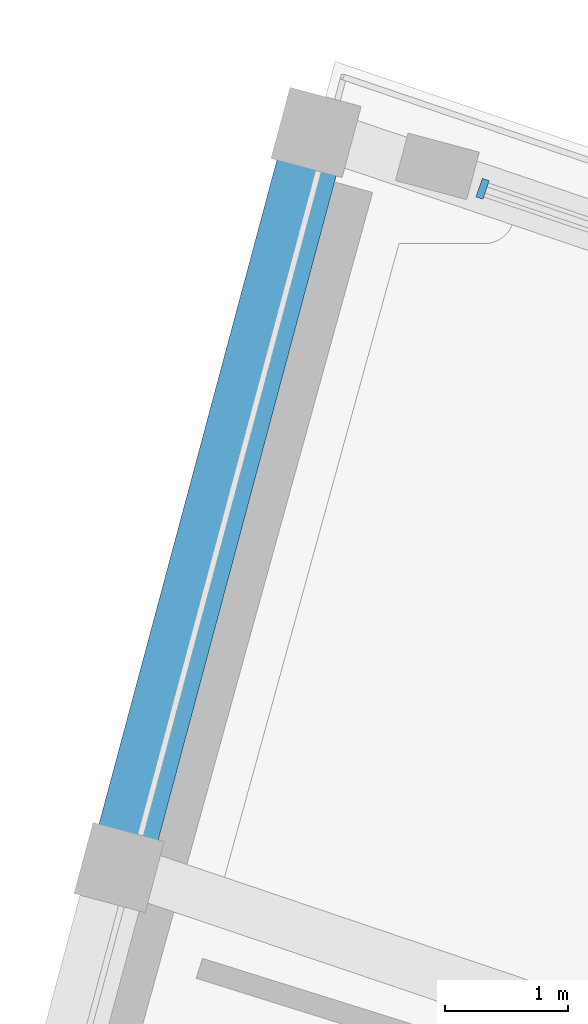
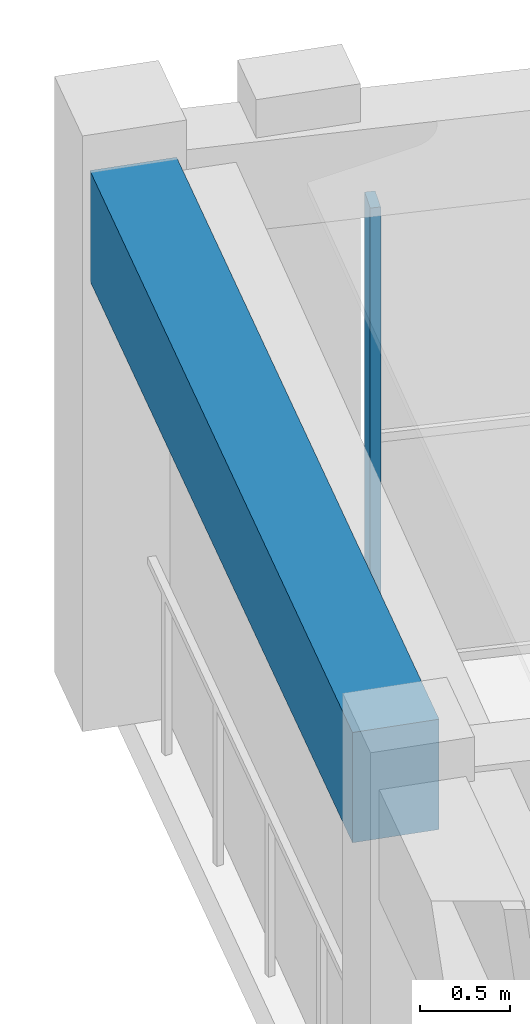
# One storey, part 32 of 70: 1 beam, 1 member, 1 element without a shape of its own.
"""IFC4 building model written with IfcOpenShell, lengths in metres."""

from ifc_helpers import new_model, si_unit, direction, frame, origin, origin_2d, place, context, subcontext, project, spatial, rectangle, extrude, material, material_profile, profile_set, type_object, element, aggregate, save


model = new_model("IFC4")

# Units and contexts
model_context = context("Model", 3, precision=1e-05, world=origin(), true_north=direction((0.0, 1.0)))
body_context = subcontext(model_context, "Body", "Model", "MODEL_VIEW")
ifc_project = project(units=[si_unit("LENGTHUNIT", "METRE"), si_unit("AREAUNIT", "SQUARE_METRE"), si_unit("VOLUMEUNIT", "CUBIC_METRE"), si_unit("PLANEANGLEUNIT", "RADIAN"), si_unit("MASSUNIT", "GRAM", prefix="KILO")], contexts=[model_context])

# Site, building, storey
site_placement = place(None, origin())
site = spatial("IfcSite", under=ifc_project, at=site_placement, CompositionType="ELEMENT")
building_placement = place(site_placement, origin())
building = spatial("IfcBuilding", under=site, at=building_placement, Name="Saryqyr Civic Hall", CompositionType="ELEMENT")
storey_placement = place(building_placement, frame((0.0, 0.0, 13.199951171875)))
storey = spatial("IfcBuildingStorey", under=building, at=storey_placement, Name="L03", CompositionType="ELEMENT", Elevation=13.199951171875)

# Curtain wall, member
ifc_material_1 = material(Name="Anodised aluminium and triple low-E glass", Category="aluminium")
curtain_wall_type = type_object("IfcCurtainWallType", Name="ENV-CW-STD-30", PredefinedType="NOTDEFINED", material=ifc_material_1)
curtain_wall_placement = place(storey_placement, origin())
curtain_wall = element("IfcCurtainWall", 1, at=curtain_wall_placement, inside=storey, type_object=curtain_wall_type, Name="Curtain wall V6-CWO-L03-09", PredefinedType="NOTDEFINED")
ifc_material_2 = material(Name="Anodised aluminium", Category="aluminium")
ifc_material_profile_1 = material_profile(ifc_material_2, rectangle(XDim=0.06005859375, YDim=0.159912109375, at=origin_2d()), Name="ALU MULLION 60x160")
ifc_profile_set_1 = profile_set([ifc_material_profile_1], Name="Anodised aluminium")
member_type = type_object("IfcMemberType", Name="ENV-CW-MUL-180", PredefinedType="MULLION", material=ifc_profile_set_1)
member_placement = place(storey_placement, frame((71.0390625, 130.87109375, 0.0), z_axis=(0.0, 0.0, 1.0), x_axis=(0.947190494511, -0.320671431699, 0.0)))
member = element("IfcMember", 2, at=member_placement, type_object=member_type, Name="CW-30 mullion 1", PredefinedType="MULLION", context=body_context, shape_type="SweptSolid", body=[
    extrude(rectangle(XDim=0.06005859375, YDim=0.159912109375, at=origin_2d()), origin(), (0.0, 0.0, 1.0), 3.1650390625),
])
aggregate(curtain_wall, [member])

# Beam
ifc_material_3 = material(Name="Concrete C40/50", Category="concrete")
ifc_material_profile_2 = material_profile(ifc_material_3, rectangle(XDim=0.5, YDim=0.75, at=origin_2d()), Name="RC 500x750")
ifc_profile_set_2 = profile_set([ifc_material_profile_2], Name="Concrete C40/50")
beam_type = type_object("IfcBeamType", Name="STR-BM-RC500x750", PredefinedType="BEAM", material=ifc_profile_set_2)
beam_placement = place(storey_placement, frame((68.148681640625, 125.607177734375, 3.4150390625), z_axis=(0.25878936227, 0.965933779291, 0.0), x_axis=(-0.965933779291, 0.25878936227, 0.0)))
element("IfcBeam", 3, at=beam_placement, inside=storey, type_object=beam_type, Name="Beam V6-RBM-B10-L03", PredefinedType="BEAM", context=body_context, shape_type="SweptSolid", body=[
    extrude(rectangle(XDim=0.5, YDim=0.75, at=origin_2d()), origin(), (0.0, 0.0, 1.0), 5.64990234375),
])

save(model, "model.ifc")
